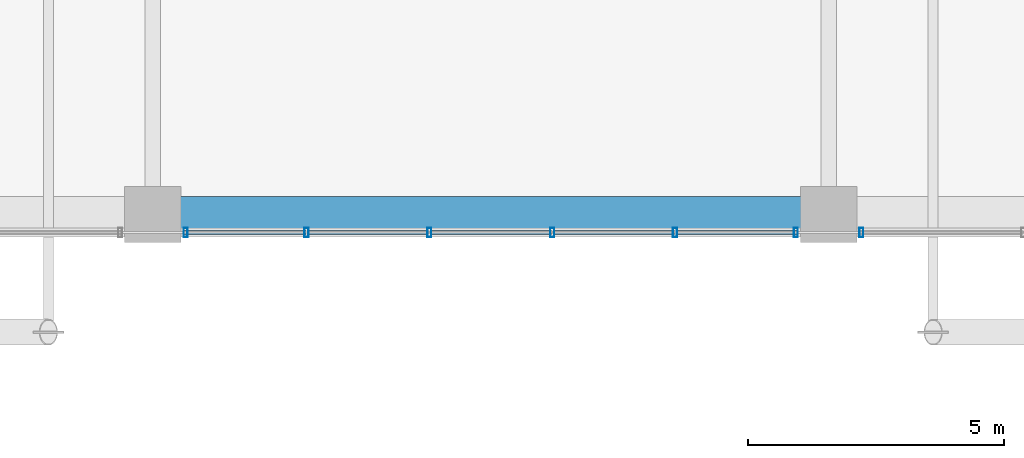
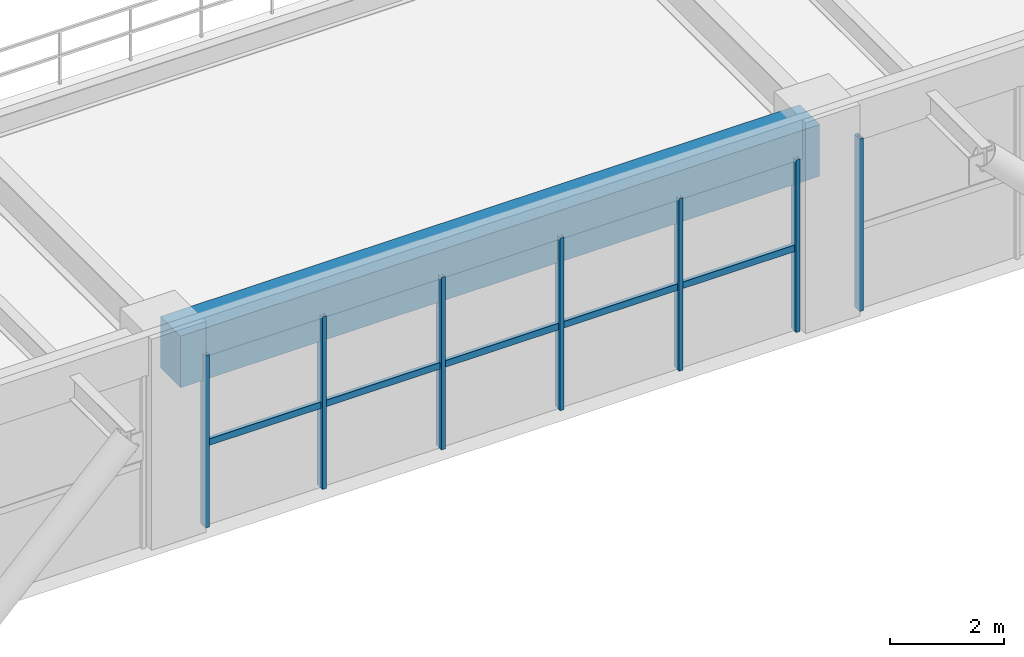
# One storey, part 4 of 24: 12 members, 1 beam, 2 elements without a shape of their own.
"""IFC4 building model written with IfcOpenShell, lengths in metres."""

from ifc_helpers import new_model, si_unit, direction, frame, origin, origin_2d, place, context, subcontext, project, spatial, rectangle, hollow_rectangle, extrude, source, transform, mapped, material, material_profile, profile_set, type_object, element, aggregate, save


model = new_model("IFC4")

# Units and contexts
model_context = context("Model", 3, precision=1e-05, world=origin(), true_north=direction((0.0, 1.0)))
body_context = subcontext(model_context, "Body", "Model", "MODEL_VIEW")
ifc_project = project(units=[si_unit("LENGTHUNIT", "METRE"), si_unit("AREAUNIT", "SQUARE_METRE"), si_unit("VOLUMEUNIT", "CUBIC_METRE"), si_unit("PLANEANGLEUNIT", "RADIAN"), si_unit("MASSUNIT", "GRAM", prefix="KILO")], contexts=[model_context])

# Site, building, storey
site_placement = place(None, origin())
site = spatial("IfcSite", under=ifc_project, at=site_placement, CompositionType="ELEMENT")
building_placement = place(site_placement, origin())
building = spatial("IfcBuilding", under=site, at=building_placement, Name="Trelvane Seafront Commons", CompositionType="ELEMENT")
storey_placement = place(building_placement, frame((0.0, 0.0, 9.699951171875)))
storey = spatial("IfcBuildingStorey", under=building, at=storey_placement, Name="L02", CompositionType="ELEMENT", Elevation=9.699951171875)

# Beam
ifc_material_1 = material(Name="Concrete C50/60", Category="concrete")
ifc_material_profile_1 = material_profile(ifc_material_1, rectangle(XDim=0.699951171875, YDim=1.10009765625, at=origin_2d()), Name="RC-700x1100")
ifc_profile_set_1 = profile_set([ifc_material_profile_1], Name="Concrete C50/60")
beam_type = type_object("IfcBeamType", Name="STR-TBM-RC700x1100", PredefinedType="T_BEAM", material=ifc_profile_set_1)
shared_shape_1 = source(origin(), body_context, "Body", "SweptSolid", [
    extrude(rectangle(XDim=0.699951171875, YDim=1.10009765625, at=origin_2d()), origin(), (0.0, 0.0, 1.0), 12.89990234375),
])
beam_placement = place(storey_placement, frame((30.75, 3.949951171875, 3.650146484375), z_axis=(1.0, 0.0, 0.0), x_axis=(0.0, 1.0, 0.0)))
element("IfcBeam", 1, at=beam_placement, inside=storey, type_object=beam_type, Name="L02 Primary Girder G-04", PredefinedType="T_BEAM", context=body_context, shape_type="MappedRepresentation", body=[
    mapped(shared_shape_1, transform((0.0, 0.0, 0.0), x_axis=(1.0, 0.0, 0.0), y_axis=(0.0, 1.0, 0.0), z_axis=(0.0, 0.0, 1.0), scale=1.0)),
])

# Curtain wall, member
ifc_material_2 = material(Name="Anodised pale-silver aluminium", Category="aluminium")
curtain_wall_type = type_object("IfcCurtainWallType", Name="ARCH-CW1-PODIUM", PredefinedType="NOTDEFINED", material=ifc_material_2)
curtain_wall_1_placement = place(storey_placement, origin())
curtain_wall_1 = element("IfcCurtainWall", 2, at=curtain_wall_1_placement, inside=storey, type_object=curtain_wall_type, Name="CW-L02-VP-0016", PredefinedType="NOTDEFINED")
ifc_material_profile_2 = material_profile(ifc_material_2, hollow_rectangle(XDim=0.080078125, YDim=0.179931640625, WallThickness=0.00439453125, at=origin_2d()), Name="MULL-80x180x4.5")
ifc_profile_set_2 = profile_set([ifc_material_profile_2], Name="Anodised pale-silver aluminium")
member_type_1 = type_object("IfcMemberType", Name="ARCH-CW-MULL-180", PredefinedType="MULLION", material=ifc_profile_set_2)
shared_shape_2 = source(origin(), body_context, "Body", "SweptSolid", [
    extrude(hollow_rectangle(XDim=0.080078125, YDim=0.179931640625, WallThickness=0.00439453125, at=origin_2d()), origin(), (0.0, 0.0, 1.0), 3.679931640625),
])
member_1_placement = place(storey_placement, frame((44.43994140625, 3.60009765625, 0.0), z_axis=(0.0, 0.0, 1.0), x_axis=(1.0, 0.0, 0.0)))
member_1 = element("IfcMember", 3, at=member_1_placement, type_object=member_type_1, Name="CW-L02-VP-0016-M02", PredefinedType="MULLION", context=body_context, shape_type="MappedRepresentation", body=[
    mapped(shared_shape_2, transform((0.0, 0.0, 0.0), x_axis=(1.0, 0.0, 0.0), y_axis=(0.0, 1.0, 0.0), z_axis=(0.0, 0.0, 1.0), scale=1.0)),
])
aggregate(curtain_wall_1, [member_1])

# Curtain wall, members
curtain_wall_2_placement = place(storey_placement, origin())
curtain_wall_2 = element("IfcCurtainWall", 4, at=curtain_wall_2_placement, inside=storey, type_object=curtain_wall_type, Name="CW-L02-VP-0017", PredefinedType="NOTDEFINED")
member_2_placement = place(storey_placement, frame((43.159912109375, 3.60009765625, 0.0), z_axis=(0.0, 0.0, 1.0), x_axis=(1.0, 0.0, 0.0)))
member_2 = element("IfcMember", 5, at=member_2_placement, type_object=member_type_1, Name="CW-L02-VP-0017-M00", PredefinedType="MULLION", context=body_context, shape_type="MappedRepresentation", body=[
    mapped(shared_shape_2, transform((0.0, 0.0, 0.0), x_axis=(1.0, 0.0, 0.0), y_axis=(0.0, 1.0, 0.0), z_axis=(0.0, 0.0, 1.0), scale=1.0)),
])
member_3_placement = place(storey_placement, frame((40.800048828125, 3.60009765625, 0.0), z_axis=(0.0, 0.0, 1.0), x_axis=(1.0, 0.0, 0.0)))
member_3 = element("IfcMember", 6, at=member_3_placement, type_object=member_type_1, Name="CW-L02-VP-0017-M01", PredefinedType="MULLION", context=body_context, shape_type="MappedRepresentation", body=[
    mapped(shared_shape_2, transform((0.0, 0.0, 0.0), x_axis=(1.0, 0.0, 0.0), y_axis=(0.0, 1.0, 0.0), z_axis=(0.0, 0.0, 1.0), scale=1.0)),
])
member_4_placement = place(storey_placement, frame((38.39990234375, 3.60009765625, 0.0), z_axis=(0.0, 0.0, 1.0), x_axis=(1.0, 0.0, 0.0)))
member_4 = element("IfcMember", 7, at=member_4_placement, type_object=member_type_1, Name="CW-L02-VP-0017-M02", PredefinedType="MULLION", context=body_context, shape_type="MappedRepresentation", body=[
    mapped(shared_shape_2, transform((0.0, 0.0, 0.0), x_axis=(1.0, 0.0, 0.0), y_axis=(0.0, 1.0, 0.0), z_axis=(0.0, 0.0, 1.0), scale=1.0)),
])
member_5_placement = place(storey_placement, frame((36.0, 3.60009765625, 0.0), z_axis=(0.0, 0.0, 1.0), x_axis=(1.0, 0.0, 0.0)))
member_5 = element("IfcMember", 8, at=member_5_placement, type_object=member_type_1, Name="CW-L02-VP-0017-M03", PredefinedType="MULLION", context=body_context, shape_type="MappedRepresentation", body=[
    mapped(shared_shape_2, transform((0.0, 0.0, 0.0), x_axis=(1.0, 0.0, 0.0), y_axis=(0.0, 1.0, 0.0), z_axis=(0.0, 0.0, 1.0), scale=1.0)),
])
member_6_placement = place(storey_placement, frame((33.60009765625, 3.60009765625, 0.0), z_axis=(0.0, 0.0, 1.0), x_axis=(1.0, 0.0, 0.0)))
member_6 = element("IfcMember", 9, at=member_6_placement, type_object=member_type_1, Name="CW-L02-VP-0017-M04", PredefinedType="MULLION", context=body_context, shape_type="MappedRepresentation", body=[
    mapped(shared_shape_2, transform((0.0, 0.0, 0.0), x_axis=(1.0, 0.0, 0.0), y_axis=(0.0, 1.0, 0.0), z_axis=(0.0, 0.0, 1.0), scale=1.0)),
])
member_7_placement = place(storey_placement, frame((31.239990234375, 3.60009765625, 0.0), z_axis=(0.0, 0.0, 1.0), x_axis=(1.0, 0.0, 0.0)))
member_7 = element("IfcMember", 10, at=member_7_placement, type_object=member_type_1, Name="CW-L02-VP-0017-M05", PredefinedType="MULLION", context=body_context, shape_type="MappedRepresentation", body=[
    mapped(shared_shape_2, transform((0.0, 0.0, 0.0), x_axis=(1.0, 0.0, 0.0), y_axis=(0.0, 1.0, 0.0), z_axis=(0.0, 0.0, 1.0), scale=1.0)),
])
ifc_material_profile_3 = material_profile(ifc_material_2, hollow_rectangle(XDim=0.074951171875, YDim=0.139892578125, WallThickness=0.00390625, at=origin_2d()), Name="TRAN-75x140x4")
ifc_profile_set_3 = profile_set([ifc_material_profile_3], Name="Anodised pale-silver aluminium")
member_type_2 = type_object("IfcMemberType", Name="ARCH-CW-TRAN-140", PredefinedType="USERDEFINED", material=ifc_profile_set_3)
shared_shape_3 = source(origin(), body_context, "Body", "SweptSolid", [
    extrude(hollow_rectangle(XDim=0.074951171875, YDim=0.139892578125, WallThickness=0.00390625, at=origin_2d()), origin(), (0.0, 0.0, 1.0), 2.3759765625),
])
member_8_placement = place(storey_placement, frame((43.18798828125, 3.60009765625, 1.76611328125), z_axis=(-1.0, 0.0, 0.0), x_axis=(0.0, -1.0, 0.0)))
member_8 = element("IfcMember", 11, at=member_8_placement, type_object=member_type_2, Name="CW-L02-VP-0017-T00", ObjectType="TRANSOM", PredefinedType="USERDEFINED", context=body_context, shape_type="MappedRepresentation", body=[
    mapped(shared_shape_3, transform((0.0, 0.0, 0.0), x_axis=(1.0, 0.0, 0.0), y_axis=(0.0, 1.0, 0.0), z_axis=(0.0, 0.0, 1.0), scale=1.0)),
])
member_9_placement = place(storey_placement, frame((40.7880859375, 3.60009765625, 1.76611328125), z_axis=(-1.0, 0.0, 0.0), x_axis=(0.0, -1.0, 0.0)))
member_9 = element("IfcMember", 12, at=member_9_placement, type_object=member_type_2, Name="CW-L02-VP-0017-T01", ObjectType="TRANSOM", PredefinedType="USERDEFINED", context=body_context, shape_type="MappedRepresentation", body=[
    mapped(shared_shape_3, transform((0.0, 0.0, 0.0), x_axis=(1.0, 0.0, 0.0), y_axis=(0.0, 1.0, 0.0), z_axis=(0.0, 0.0, 1.0), scale=1.0)),
])
member_10_placement = place(storey_placement, frame((38.387939453125, 3.60009765625, 1.76611328125), z_axis=(-1.0, 0.0, 0.0), x_axis=(0.0, -1.0, 0.0)))
member_10 = element("IfcMember", 13, at=member_10_placement, type_object=member_type_2, Name="CW-L02-VP-0017-T02", ObjectType="TRANSOM", PredefinedType="USERDEFINED", context=body_context, shape_type="MappedRepresentation", body=[
    mapped(shared_shape_3, transform((0.0, 0.0, 0.0), x_axis=(1.0, 0.0, 0.0), y_axis=(0.0, 1.0, 0.0), z_axis=(0.0, 0.0, 1.0), scale=1.0)),
])
member_11_placement = place(storey_placement, frame((35.988037109375, 3.60009765625, 1.76611328125), z_axis=(-1.0, 0.0, 0.0), x_axis=(0.0, -1.0, 0.0)))
member_11 = element("IfcMember", 14, at=member_11_placement, type_object=member_type_2, Name="CW-L02-VP-0017-T03", ObjectType="TRANSOM", PredefinedType="USERDEFINED", context=body_context, shape_type="MappedRepresentation", body=[
    mapped(shared_shape_3, transform((0.0, 0.0, 0.0), x_axis=(1.0, 0.0, 0.0), y_axis=(0.0, 1.0, 0.0), z_axis=(0.0, 0.0, 1.0), scale=1.0)),
])
member_12_placement = place(storey_placement, frame((33.587890625, 3.60009765625, 1.76611328125), z_axis=(-1.0, 0.0, 0.0), x_axis=(0.0, -1.0, 0.0)))
member_12 = element("IfcMember", 15, at=member_12_placement, type_object=member_type_2, Name="CW-L02-VP-0017-T04", ObjectType="TRANSOM", PredefinedType="USERDEFINED", context=body_context, shape_type="MappedRepresentation", body=[
    mapped(shared_shape_3, transform((0.0, 0.0, 0.0), x_axis=(1.0, 0.0, 0.0), y_axis=(0.0, 1.0, 0.0), z_axis=(0.0, 0.0, 1.0), scale=1.0)),
])
aggregate(curtain_wall_2, [member_2, member_3, member_4, member_5, member_6, member_7, member_8, member_9, member_10, member_11, member_12])

save(model, "model.ifc")
